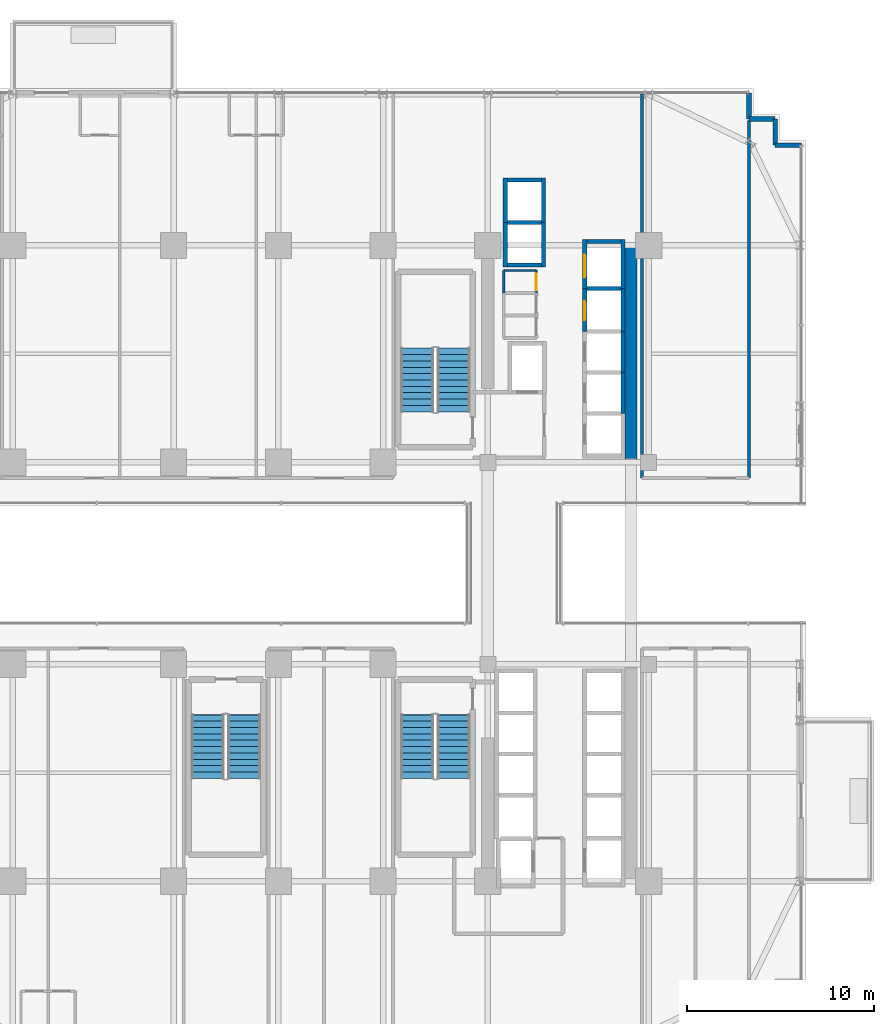
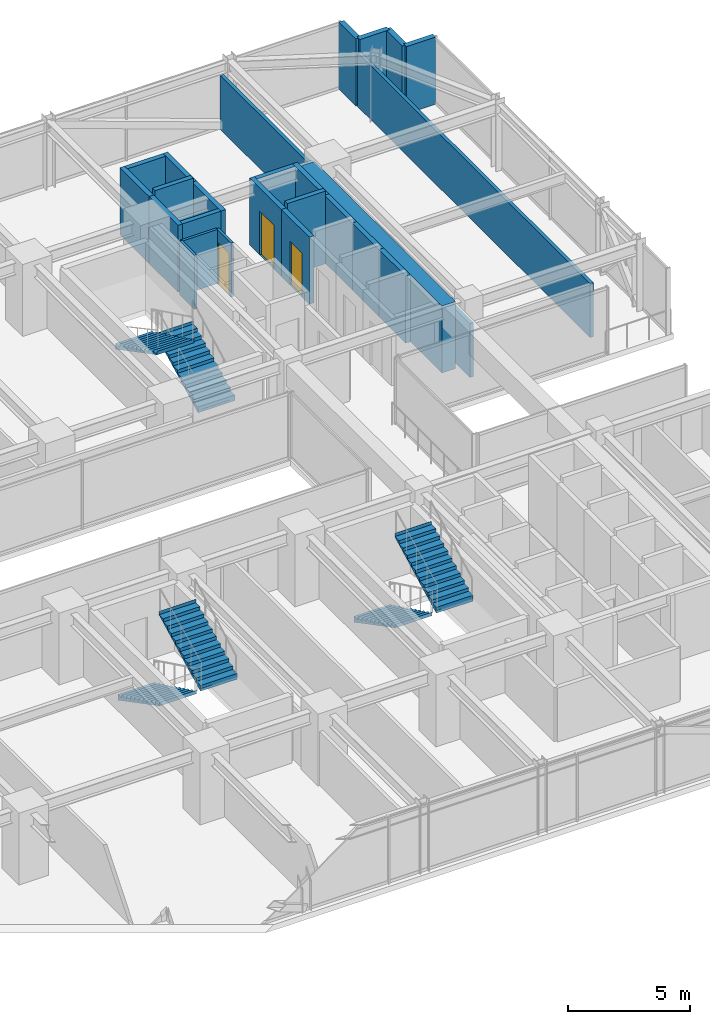
# One storey, part 37 of 41: 25 walls, 6 stair flights, 3 doors, 3 openings, 3 elements without a shape of their own.
"""IFC4 building model written with IfcOpenShell, lengths in metres."""

from ifc_helpers import new_model, si_unit, direction, frame, frame_2d, origin, place, context, subcontext, project, spatial, polyline, rectangle, outline, extrude, source, transform, mapped, material, layer, layer_set, type_object, element, fill, aggregate, save


model = new_model("IFC4")

# Units and contexts
model_context = context("Model", 3, precision=1e-05, world=origin(), true_north=direction((0.0, 1.0)))
body_context = subcontext(model_context, "Body", "Model", "MODEL_VIEW")
ifc_project = project(units=[si_unit("LENGTHUNIT", "METRE"), si_unit("AREAUNIT", "SQUARE_METRE"), si_unit("VOLUMEUNIT", "CUBIC_METRE"), si_unit("PLANEANGLEUNIT", "RADIAN"), si_unit("MASSUNIT", "GRAM", prefix="KILO")], contexts=[model_context])

# Site, building, storey
site_placement = place(None, origin())
site = spatial("IfcSite", under=ifc_project, at=site_placement, CompositionType="ELEMENT")
building_placement = place(site_placement, origin())
building = spatial("IfcBuilding", under=site, at=building_placement, Name="Nahalor Promenade Grand Hotel", CompositionType="ELEMENT")
storey_placement = place(building_placement, frame((0.0, 0.0, 54.300048828125)))
storey = spatial("IfcBuildingStorey", under=building, at=storey_placement, Name="L12", CompositionType="ELEMENT", Elevation=54.300048828125)

# Walls
ifc_material_1 = material(Name="Concrete B-60 (C50/60)", Category="concrete")
ifc_layer_1 = layer(ifc_material_1, 0.64990234375)
ifc_layer_set_1 = layer_set([ifc_layer_1], Name="Concrete B-60 (C50/60)")
wall_type_1 = type_object("IfcWallType", Name="Wall-CoreShear-650", PredefinedType="SHEAR", material=ifc_layer_set_1)
shared_shape_1 = source(origin(), body_context, "Body", "SweptSolid", [
    extrude(rectangle(XDim=11.60009765625, YDim=0.64990234375, at=frame_2d((5.800048828125, 0.0))), origin(), (0.0, 0.0, 1.0), 3.369873046875),
])
wall_1_placement = place(storey_placement, frame((16.050048828125, 5.39990234375, 0.0), z_axis=(0.0, 0.0, 1.0), x_axis=(0.0, 1.0, 0.0)))
element("IfcWall", 1, at=wall_1_placement, inside=storey, type_object=wall_type_1, Name="CWALL-L12-NE", PredefinedType="SHEAR", context=body_context, shape_type="MappedRepresentation", body=[
    mapped(shared_shape_1, transform((0.0, 0.0, 0.0), scale=1.0)),
])
ifc_material_2 = material(Name="Concrete B-50 (C40/50)", Category="concrete")
ifc_layer_2 = layer(ifc_material_2, 0.219970703125)
ifc_layer_set_2 = layer_set([ifc_layer_2], Name="Concrete B-50 (C40/50)")
wall_type_2 = type_object("IfcWallType", Name="Wall-LiftShaft-220", PredefinedType="SHEAR", material=ifc_layer_set_2)
shared_shape_2 = source(origin(), body_context, "Body", "SweptSolid", [
    extrude(rectangle(XDim=1.820068359375, YDim=0.219970703125, at=frame_2d((0.91015625, 0.0))), origin(), (0.0, 0.0, 1.0), 3.369873046875),
])
for number, where, z_axis, x_axis, name in (
    (2, (9.43994140625, 15.949951171875, 0.0), (0.0, 0.0, 1.0), (1.0, 0.0, 0.0), "L12 Lift OB1 Hoistway Wall S"),
    (3, (9.43994140625, 20.5, 0.0), (0.0, 0.0, 1.0), (1.0, 0.0, 0.0), "L12 Lift OB2 Hoistway Wall N"),
    (4, (13.68994140625, 17.199951171875, 0.0), (0.0, 0.0, 1.0), (1.0, 0.0, 0.0), "L12 Lift SV1 Hoistway Wall N"),
):
    element("IfcWall", number, at=place(storey_placement, frame(where, z_axis=z_axis, x_axis=x_axis)), inside=storey, type_object=wall_type_2, Name=name, PredefinedType="SHEAR", context=body_context, shape_type="MappedRepresentation", body=[
        mapped(shared_shape_2, transform((0.0, 0.0, 0.0), scale=1.0)),
    ])
shared_shape_3 = source(origin(), body_context, "Body", "SweptSolid", [
    extrude(rectangle(XDim=1.820068359375, YDim=0.219970703125, at=frame_2d((0.91015625, 0.0))), origin(), (0.0, 0.0, 1.0), 3.64990234375),
])
for number, where, z_axis, x_axis, name in (
    (5, (13.68994140625, 14.699951171875, 0.0), (0.0, 0.0, 1.0), (1.0, 0.0, 0.0), "L12 Lift PL4 Hoistway Wall N"),
    (6, (9.43994140625, 18.22509765625, 0.0), (0.0, 0.0, 1.0), (1.0, 0.0, 0.0), "L12 Lift OB1 Hoistway Wall N"),
):
    element("IfcWall", number, at=place(storey_placement, frame(where, z_axis=z_axis, x_axis=x_axis)), inside=storey, type_object=wall_type_2, Name=name, PredefinedType="SHEAR", context=body_context, shape_type="MappedRepresentation", body=[
        mapped(shared_shape_3, transform((0.0, 0.0, 0.0), scale=1.0)),
    ])
shared_shape_4 = source(origin(), body_context, "Body", "SweptSolid", [
    extrude(rectangle(XDim=2.199951171875, YDim=0.219970703125, at=frame_2d((1.10009765625, 0.0))), origin(), (0.0, 0.0, 1.0), 3.369873046875),
])
for number, where, z_axis, x_axis, name in (
    (7, (15.6201171875, 8.0, 0.0), (0.0, 0.0, 1.0), (0.0, 1.0, 0.0), "L12 Lift PL2 Hoistway Wall E"),
    (8, (15.6201171875, 10.199951171875, 0.0), (0.0, 0.0, 1.0), (0.0, 1.0, 0.0), "L12 Lift PL3 Hoistway Wall E"),
):
    element("IfcWall", number, at=place(storey_placement, frame(where, z_axis=z_axis, x_axis=x_axis)), inside=storey, type_object=wall_type_2, Name=name, PredefinedType="SHEAR", context=body_context, shape_type="MappedRepresentation", body=[
        mapped(shared_shape_4, transform((0.0, 0.0, 0.0), scale=1.0)),
    ])

# Wall, opening, door
shared_shape_5 = source(origin(), body_context, "Body", "SweptSolid", [
    extrude(rectangle(XDim=2.300048828125, YDim=0.219970703125, at=frame_2d((1.14990234375, 0.0))), origin(), (0.0, 0.0, 1.0), 3.369873046875),
])
wall_2_placement = place(storey_placement, frame((13.580078125, 12.39990234375, 0.0), z_axis=(0.0, 0.0, 1.0), x_axis=(0.0, 1.0, 0.0)))
wall_2 = element("IfcWall", 9, at=wall_2_placement, inside=storey, type_object=wall_type_2, Name="L12 Lift PL4 Hoistway Wall W", PredefinedType="SHEAR", context=body_context, shape_type="MappedRepresentation", body=[
    mapped(shared_shape_5, transform((0.0, 0.0, 0.0), scale=1.0)),
])
opening_1_placement = place(wall_2_placement, frame((0.60009765625, 0.0, 0.0)))
opening_1 = element("IfcOpeningElement", 10, at=opening_1_placement, cuts=wall_2, Name="Opening LD-01", PredefinedType="OPENING", context=body_context, shape_type="SweptSolid", body=[
    extrude(rectangle(XDim=1.0, YDim=2.199951171875, at=frame_2d((0.5, 1.10009765625))), frame((0.0, 0.119873046875, 0.0), z_axis=(0.0, -1.0, 0.0), x_axis=(1.0, 0.0, 0.0)), (0.0, 0.0, 1.0), 0.239990234375),
])
ifc_material_3 = material(Name="Steel S355JR", Category="steel")
door_type_1 = type_object("IfcDoorType", Name="Door-LiftLanding-1000", OperationType="DOUBLE_DOOR_SLIDING", PredefinedType="DOOR", material=ifc_material_3)
shared_shape_6 = source(origin(), body_context, "Body", "SweptSolid", [
    extrude(rectangle(XDim=1.0, YDim=2.199951171875, at=frame_2d((0.5, 1.10009765625))), frame((0.0, 0.02490234375, 0.0), z_axis=(0.0, -1.0, 0.0), x_axis=(1.0, 0.0, 0.0)), (0.0, 0.0, 1.0), 0.050048828125),
])
door_1_placement = place(opening_1_placement, origin())
door_1 = element("IfcDoor", 11, at=door_1_placement, inside=storey, type_object=door_type_1, Name="DR-LIFT-PL4-L12", OperationType="DOUBLE_DOOR_SLIDING", OverallHeight=2.199951171875, OverallWidth=1.0, PredefinedType="DOOR", context=body_context, shape_type="MappedRepresentation", body=[
    mapped(shared_shape_6, transform((0.0, 0.0, 0.0), scale=1.0)),
])
fill(opening_1, door_1)

# Walls
wall_3_placement = place(storey_placement, frame((15.6201171875, 12.39990234375, 0.0), z_axis=(0.0, 0.0, 1.0), x_axis=(0.0, 1.0, 0.0)))
element("IfcWall", 12, at=wall_3_placement, inside=storey, type_object=wall_type_2, Name="L12 Lift PL4 Hoistway Wall E", PredefinedType="SHEAR", context=body_context, shape_type="MappedRepresentation", body=[
    mapped(shared_shape_5, transform((0.0, 0.0, 0.0), scale=1.0)),
])
shared_shape_7 = source(origin(), body_context, "Body", "SweptSolid", [
    extrude(rectangle(XDim=2.385009765625, YDim=0.219970703125, at=frame_2d((1.1923828125, 0.0))), origin(), (0.0, 0.0, 1.0), 3.369873046875),
])
for number, where, z_axis, x_axis, name in (
    (13, (9.330078125, 15.840087890625, 0.0), (0.0, 0.0, 1.0), (0.0, 1.0, 0.0), "L12 Lift OB1 Hoistway Wall W"),
    (14, (11.3701171875, 15.840087890625, 0.0), (0.0, 0.0, 1.0), (0.0, 1.0, 0.0), "L12 Lift OB1 Hoistway Wall E"),
    (15, (9.330078125, 18.22509765625, 0.0), (0.0, 0.0, 1.0), (0.0, 1.0, 0.0), "L12 Lift OB2 Hoistway Wall W"),
    (16, (11.3701171875, 18.22509765625, 0.0), (0.0, 0.0, 1.0), (0.0, 1.0, 0.0), "L12 Lift OB2 Hoistway Wall E"),
):
    element("IfcWall", number, at=place(storey_placement, frame(where, z_axis=z_axis, x_axis=x_axis)), inside=storey, type_object=wall_type_2, Name=name, PredefinedType="SHEAR", context=body_context, shape_type="MappedRepresentation", body=[
        mapped(shared_shape_7, transform((0.0, 0.0, 0.0), scale=1.0)),
    ])

# Wall, opening, door
shared_shape_8 = source(origin(), body_context, "Body", "SweptSolid", [
    extrude(rectangle(XDim=2.610107421875, YDim=0.219970703125, at=frame_2d((1.30517578125, 0.0))), origin(), (0.0, 0.0, 1.0), 3.369873046875),
])
wall_4_placement = place(storey_placement, frame((13.580078125, 14.699951171875, 0.0), z_axis=(0.0, 0.0, 1.0), x_axis=(0.0, 1.0, 0.0)))
wall_4 = element("IfcWall", 17, at=wall_4_placement, inside=storey, type_object=wall_type_2, Name="L12 Lift SV1 Hoistway Wall W", PredefinedType="SHEAR", context=body_context, shape_type="MappedRepresentation", body=[
    mapped(shared_shape_8, transform((0.0, 0.0, 0.0), scale=1.0)),
])
opening_2_placement = place(wall_4_placement, frame((0.60009765625, 0.0, 0.0)))
opening_2 = element("IfcOpeningElement", 18, at=opening_2_placement, cuts=wall_4, Name="Opening LD-03", PredefinedType="OPENING", context=body_context, shape_type="SweptSolid", body=[
    extrude(rectangle(XDim=1.199951171875, YDim=2.199951171875, at=frame_2d((0.60009765625, 1.10009765625))), frame((0.0, 0.119873046875, 0.0), z_axis=(0.0, -1.0, 0.0), x_axis=(1.0, 0.0, 0.0)), (0.0, 0.0, 1.0), 0.239990234375),
])
door_type_2 = type_object("IfcDoorType", Name="Door-LiftService-1200", OperationType="DOUBLE_DOOR_SLIDING", PredefinedType="DOOR", material=ifc_material_3)
shared_shape_9 = source(origin(), body_context, "Body", "SweptSolid", [
    extrude(rectangle(XDim=1.199951171875, YDim=2.199951171875, at=frame_2d((0.60009765625, 1.10009765625))), frame((0.0, 0.02490234375, 0.0), z_axis=(0.0, -1.0, 0.0), x_axis=(1.0, 0.0, 0.0)), (0.0, 0.0, 1.0), 0.050048828125),
])
door_2_placement = place(opening_2_placement, origin())
door_2 = element("IfcDoor", 19, at=door_2_placement, inside=storey, type_object=door_type_2, Name="DR-LIFT-SV1-L12", OperationType="DOUBLE_DOOR_SLIDING", OverallHeight=2.199951171875, OverallWidth=1.199951171875, PredefinedType="DOOR", context=body_context, shape_type="MappedRepresentation", body=[
    mapped(shared_shape_9, transform((0.0, 0.0, 0.0), scale=1.0)),
])
fill(opening_2, door_2)

# Walls
wall_5_placement = place(storey_placement, frame((15.6201171875, 14.699951171875, 0.0), z_axis=(0.0, 0.0, 1.0), x_axis=(0.0, 1.0, 0.0)))
element("IfcWall", 20, at=wall_5_placement, inside=storey, type_object=wall_type_2, Name="L12 Lift SV1 Hoistway Wall E", PredefinedType="SHEAR", context=body_context, shape_type="MappedRepresentation", body=[
    mapped(shared_shape_8, transform((0.0, 0.0, 0.0), scale=1.0)),
])
ifc_material_4 = material(Name="Concrete B-40 (C32/40)", Category="concrete")
ifc_layer_3 = layer(ifc_material_4, 0.25)
ifc_layer_set_3 = layer_set([ifc_layer_3], Name="Concrete B-40 (C32/40)")
wall_type_3 = type_object("IfcWallType", Name="Wall-BronzePier-250", PredefinedType="STANDARD", material=ifc_layer_set_3)
shared_shape_10 = source(origin(), body_context, "Body", "SweptSolid", [
    extrude(rectangle(XDim=1.39990234375, YDim=0.25, at=frame_2d((0.699951171875, 0.0))), origin(), (0.0, 0.0, 1.0), 3.369873046875),
])
for number, where, z_axis, x_axis, name in (
    (21, (23.760009765625, 22.360107421875, 0.0), (0.0, 0.0, 1.0), (1.0, 0.0, 0.0), "W-L12-SR-05"),
    (22, (23.760009765625, 22.360107421875, 0.0), (0.0, 0.0, 1.0), (0.0, 1.0, 0.0), "W-L12-SR-06"),
    (23, (22.360107421875, 23.760009765625, 0.0), (0.0, 0.0, 1.0), (1.0, 0.0, 0.0), "W-L12-SR-07"),
    (24, (22.360107421875, 23.760009765625, 0.0), (0.0, 0.0, 1.0), (0.0, 1.0, 0.0), "W-L12-SR-08"),
):
    element("IfcWall", number, at=place(storey_placement, frame(where, z_axis=z_axis, x_axis=x_axis)), inside=storey, type_object=wall_type_3, Name=name, PredefinedType="STANDARD", context=body_context, shape_type="MappedRepresentation", body=[
        mapped(shared_shape_10, transform((0.0, 0.0, 0.0), scale=1.0)),
    ])
ifc_material_5 = material(Name="Acoustic Mineral Gypsum", Category="gypsum")
ifc_layer_4 = layer(ifc_material_5, 0.159912109375)
ifc_layer_set_4 = layer_set([ifc_layer_4], Name="Acoustic Mineral Gypsum")
wall_type_4 = type_object("IfcWallType", Name="Wall-PartCorridor-160", PredefinedType="PARTITIONING", material=ifc_layer_set_4)
shared_shape_11 = source(origin(), body_context, "Body", "SweptSolid", [
    extrude(rectangle(XDim=20.550048828125, YDim=0.159912109375, at=frame_2d((10.27490234375, 0.0))), origin(), (0.0, 0.0, 1.0), 2.7099609375),
])
wall_6_placement = place(storey_placement, frame((16.64990234375, 4.550048828125, 0.0), z_axis=(0.0, 0.0, 1.0), x_axis=(0.0, 1.0, 0.0)))
element("IfcWall", 25, at=wall_6_placement, inside=storey, type_object=wall_type_4, Name="W-L12-ENE-W", PredefinedType="PARTITIONING", context=body_context, shape_type="MappedRepresentation", body=[
    mapped(shared_shape_11, transform((0.0, 0.0, 0.0), scale=1.0)),
])
shared_shape_12 = source(origin(), body_context, "Body", "SweptSolid", [
    extrude(rectangle(XDim=19.1298828125, YDim=0.159912109375, at=frame_2d((9.56494140625, 0.0))), origin(), (0.0, 0.0, 1.0), 2.7099609375),
])
wall_7_placement = place(storey_placement, frame((22.360107421875, 4.550048828125, 0.0), z_axis=(0.0, 0.0, 1.0), x_axis=(0.0, 1.0, 0.0)))
element("IfcWall", 26, at=wall_7_placement, inside=storey, type_object=wall_type_4, Name="W-L12-ENE-E", PredefinedType="PARTITIONING", context=body_context, shape_type="MappedRepresentation", body=[
    mapped(shared_shape_12, transform((0.0, 0.0, 0.0), scale=1.0)),
])
ifc_layer_5 = layer(ifc_material_5, 0.1201171875)
ifc_layer_set_5 = layer_set([ifc_layer_5], Name="Acoustic Mineral Gypsum")
wall_type_5 = type_object("IfcWallType", Name="Wall-PartBath-120", PredefinedType="PARTITIONING", material=ifc_layer_set_5)
shared_shape_13 = source(origin(), body_context, "Body", "SweptSolid", [
    extrude(rectangle(XDim=1.75, YDim=0.1201171875, at=frame_2d((0.875, 0.0))), origin(), (0.0, 0.0, 1.0), 2.7099609375),
])
wall_8_placement = place(storey_placement, frame((9.25, 15.64990234375, 0.0), z_axis=(0.0, 0.0, 1.0), x_axis=(1.0, 0.0, 0.0)))
element("IfcWall", 27, at=wall_8_placement, inside=storey, type_object=wall_type_5, Name="W-L12-CK3C-N", PredefinedType="PARTITIONING", context=body_context, shape_type="MappedRepresentation", body=[
    mapped(shared_shape_13, transform((0.0, 0.0, 0.0), scale=1.0)),
])
shared_shape_14 = source(origin(), body_context, "Body", "SweptSolid", [
    extrude(rectangle(XDim=1.199951171875, YDim=0.1201171875, at=frame_2d((0.60009765625, 0.0))), origin(), (0.0, 0.0, 1.0), 2.7099609375),
])
wall_9_placement = place(storey_placement, frame((9.25, 14.449951171875, 0.0), z_axis=(0.0, 0.0, 1.0), x_axis=(0.0, 1.0, 0.0)))
element("IfcWall", 28, at=wall_9_placement, inside=storey, type_object=wall_type_5, Name="W-L12-CK3C-W", PredefinedType="PARTITIONING", context=body_context, shape_type="MappedRepresentation", body=[
    mapped(shared_shape_14, transform((0.0, 0.0, 0.0), scale=1.0)),
])

# Wall, opening, door
wall_10_placement = place(storey_placement, frame((11.0, 14.449951171875, 0.0), z_axis=(0.0, 0.0, 1.0), x_axis=(0.0, 1.0, 0.0)))
wall_10 = element("IfcWall", 29, at=wall_10_placement, inside=storey, type_object=wall_type_5, Name="W-L12-CK3C-E", PredefinedType="PARTITIONING", context=body_context, shape_type="MappedRepresentation", body=[
    mapped(shared_shape_14, transform((0.0, 0.0, 0.0), scale=1.0)),
])
opening_3_placement = place(wall_10_placement, frame((0.159912109375, 0.0, 0.0)))
opening_3 = element("IfcOpeningElement", 30, at=opening_3_placement, cuts=wall_10, Name="Opening D-03", PredefinedType="OPENING", context=body_context, shape_type="SweptSolid", body=[
    extrude(rectangle(XDim=0.8798828125, YDim=2.10009765625, at=frame_2d((0.43994140625, 1.050048828125))), frame((0.0, 0.070068359375, 0.0), z_axis=(0.0, -1.0, 0.0), x_axis=(1.0, 0.0, 0.0)), (0.0, 0.0, 1.0), 0.14013671875),
])
ifc_material_6 = material(Name="Fire-Rated Timber Composite", Category="wood")
door_type_3 = type_object("IfcDoorType", Name="Door-BathSwing-880", OperationType="NOTDEFINED", PredefinedType="DOOR", material=ifc_material_6)
shared_shape_15 = source(origin(), body_context, "Body", "SweptSolid", [
    extrude(rectangle(XDim=0.8798828125, YDim=2.10009765625, at=frame_2d((0.43994140625, 1.050048828125))), frame((0.0, 0.02490234375, 0.0), z_axis=(0.0, -1.0, 0.0), x_axis=(1.0, 0.0, 0.0)), (0.0, 0.0, 1.0), 0.050048828125),
])
door_3_placement = place(opening_3_placement, origin())
door_3 = element("IfcDoor", 31, at=door_3_placement, inside=storey, type_object=door_type_3, Name="DR-L12-CK3C", OperationType="SINGLE_SWING_LEFT", OverallHeight=2.10009765625, OverallWidth=0.8798828125, PredefinedType="DOOR", context=body_context, shape_type="MappedRepresentation", body=[
    mapped(shared_shape_15, transform((0.0, 0.0, 0.0), scale=1.0)),
])
fill(opening_3, door_3)

# Stair, stair flights
stair_type_1 = type_object("IfcStairType", Name="Stair-ST1", PredefinedType="HALF_TURN_STAIR", material=ifc_material_2)
stair_1_placement = place(storey_placement, origin())
stair_1 = element("IfcStair", 32, at=stair_1_placement, inside=storey, type_object=stair_type_1, Name="L12 ST1", PredefinedType="HALF_TURN_STAIR")
ifc_layer_6 = layer(ifc_material_2, 0.179931640625)
ifc_layer_set_6 = layer_set([ifc_layer_6], Name="Concrete B-50 (C40/50)")
stair_flight_type_1 = type_object("IfcStairFlightType", Name="Flight-ST1", PredefinedType="STRAIGHT", material=ifc_layer_set_6)
shared_shape_16 = source(origin(), body_context, "Body", "SweptSolid", [
    extrude(outline(polyline([(-0.00390625, -0.1201171875), (-0.00390625, 0.0), (0.0, 0.0), (0.0, 0.166015625), (0.340087890625, 0.166015625), (0.340087890625, 0.331787109375), (0.679931640625, 0.331787109375), (0.679931640625, 0.497802734375), (1.02001953125, 0.497802734375), (1.02001953125, 0.66357421875), (1.360107421875, 0.66357421875), (1.360107421875, 0.82958984375), (1.699951171875, 0.82958984375), (1.699951171875, 0.995361328125), (2.0400390625, 0.995361328125), (2.0400390625, 1.161376953125), (2.3798828125, 1.161376953125), (2.3798828125, 1.327392578125), (2.719970703125, 1.327392578125), (2.719970703125, 1.4931640625), (3.06005859375, 1.4931640625), (3.06005859375, 1.6591796875), (3.39990234375, 1.6591796875), (3.39990234375, 1.824951171875), (3.404052734375, 1.824951171875), (3.404052734375, 1.64501953125), (0.02001953125, -0.1201171875), (-0.00390625, -0.1201171875)])), frame((0.0, 0.875, 0.0), z_axis=(0.0, -1.0, 0.0), x_axis=(1.0, 0.0, 0.0)), (0.0, 0.0, 1.0), 1.75),
])
stair_flight_1_placement = place(storey_placement, frame((6.574951171875, 8.10009765625, 0.0), z_axis=(0.0, 0.0, 1.0), x_axis=(0.0, 1.0, 0.0)))
stair_flight_1 = element("IfcStairFlight", 33, at=stair_flight_1_placement, type_object=stair_flight_type_1, Name="ST1 flight 1", NumberOfRisers=11, NumberOfTreads=10, PredefinedType="STRAIGHT", RiserHeight=0.165909091, TreadLength=0.34, context=body_context, shape_type="MappedRepresentation", body=[
    mapped(shared_shape_16, transform((0.0, 0.0, 0.0), scale=1.0)),
])
stair_flight_2_placement = place(storey_placement, frame((4.625, 11.5, 1.824951171875), z_axis=(0.0, 0.0, 1.0), x_axis=(0.0, -1.0, 0.0)))
stair_flight_2 = element("IfcStairFlight", 34, at=stair_flight_2_placement, type_object=stair_flight_type_1, Name="ST1 flight 2", NumberOfRisers=11, NumberOfTreads=10, PredefinedType="STRAIGHT", RiserHeight=0.165909091, TreadLength=0.34, context=body_context, shape_type="MappedRepresentation", body=[
    mapped(shared_shape_16, transform((0.0, 0.0, 0.0), scale=1.0)),
])
aggregate(stair_1, [stair_flight_1, stair_flight_2])

stair_type_2 = type_object("IfcStairType", Name="Stair-ST2", PredefinedType="HALF_TURN_STAIR", material=ifc_material_2)
stair_2_placement = place(storey_placement, origin())
stair_2 = element("IfcStair", 35, at=stair_2_placement, inside=storey, type_object=stair_type_2, Name="L12 ST2", PredefinedType="HALF_TURN_STAIR")
ifc_layer_7 = layer(ifc_material_2, 0.18994140625)
ifc_layer_set_7 = layer_set([ifc_layer_7], Name="Concrete B-50 (C40/50)")
stair_flight_type_2 = type_object("IfcStairFlightType", Name="Flight-ST2", PredefinedType="STRAIGHT", material=ifc_layer_set_7)
shared_shape_17 = source(origin(), body_context, "Body", "SweptSolid", [
    extrude(outline(polyline([(-0.00390625, -0.1201171875), (-0.00390625, 0.0), (0.0, 0.0), (0.0, 0.166015625), (0.340087890625, 0.166015625), (0.340087890625, 0.331787109375), (0.679931640625, 0.331787109375), (0.679931640625, 0.497802734375), (1.02001953125, 0.497802734375), (1.02001953125, 0.66357421875), (1.360107421875, 0.66357421875), (1.360107421875, 0.82958984375), (1.699951171875, 0.82958984375), (1.699951171875, 0.995361328125), (2.0400390625, 0.995361328125), (2.0400390625, 1.161376953125), (2.3798828125, 1.161376953125), (2.3798828125, 1.327392578125), (2.719970703125, 1.327392578125), (2.719970703125, 1.4931640625), (3.06005859375, 1.4931640625), (3.06005859375, 1.6591796875), (3.39990234375, 1.6591796875), (3.39990234375, 1.824951171875), (3.404052734375, 1.824951171875), (3.404052734375, 1.64501953125), (0.02001953125, -0.1201171875), (-0.00390625, -0.1201171875)])), frame((0.0, 0.875, 0.0), z_axis=(0.0, -1.0, 0.0), x_axis=(1.0, 0.0, 0.0)), (0.0, 0.0, 1.0), 1.75),
])
stair_flight_3_placement = place(storey_placement, frame((4.625, -8.10009765625, 0.0), z_axis=(0.0, 0.0, 1.0), x_axis=(0.0, -1.0, 0.0)))
stair_flight_3 = element("IfcStairFlight", 36, at=stair_flight_3_placement, type_object=stair_flight_type_2, Name="ST2 flight 1", NumberOfRisers=11, NumberOfTreads=10, PredefinedType="STRAIGHT", RiserHeight=0.165909091, TreadLength=0.34, context=body_context, shape_type="MappedRepresentation", body=[
    mapped(shared_shape_17, transform((0.0, 0.0, 0.0), scale=1.0)),
])
stair_flight_4_placement = place(storey_placement, frame((6.574951171875, -11.5, 1.824951171875), z_axis=(0.0, 0.0, 1.0), x_axis=(0.0, 1.0, 0.0)))
stair_flight_4 = element("IfcStairFlight", 37, at=stair_flight_4_placement, type_object=stair_flight_type_2, Name="ST2 flight 2", NumberOfRisers=11, NumberOfTreads=10, PredefinedType="STRAIGHT", RiserHeight=0.165909091, TreadLength=0.34, context=body_context, shape_type="MappedRepresentation", body=[
    mapped(shared_shape_17, transform((0.0, 0.0, 0.0), scale=1.0)),
])
aggregate(stair_2, [stair_flight_3, stair_flight_4])

stair_type_3 = type_object("IfcStairType", Name="Stair-ST3", PredefinedType="HALF_TURN_STAIR", material=ifc_material_2)
stair_3_placement = place(storey_placement, origin())
stair_3 = element("IfcStair", 38, at=stair_3_placement, inside=storey, type_object=stair_type_3, Name="L12 ST3", PredefinedType="HALF_TURN_STAIR")
ifc_layer_8 = layer(ifc_material_2, 0.199951171875)
ifc_layer_set_8 = layer_set([ifc_layer_8], Name="Concrete B-50 (C40/50)")
stair_flight_type_3 = type_object("IfcStairFlightType", Name="Flight-ST3", PredefinedType="STRAIGHT", material=ifc_layer_set_8)
shared_shape_18 = source(origin(), body_context, "Body", "SweptSolid", [
    extrude(outline(polyline([(-0.00390625, -0.1201171875), (-0.00390625, 0.0), (0.0, 0.0), (0.0, 0.166015625), (0.340087890625, 0.166015625), (0.340087890625, 0.331787109375), (0.679931640625, 0.331787109375), (0.679931640625, 0.497802734375), (1.02001953125, 0.497802734375), (1.02001953125, 0.66357421875), (1.360107421875, 0.66357421875), (1.360107421875, 0.82958984375), (1.699951171875, 0.82958984375), (1.699951171875, 0.995361328125), (2.0400390625, 0.995361328125), (2.0400390625, 1.161376953125), (2.3798828125, 1.161376953125), (2.3798828125, 1.327392578125), (2.719970703125, 1.327392578125), (2.719970703125, 1.4931640625), (3.06005859375, 1.4931640625), (3.06005859375, 1.6591796875), (3.39990234375, 1.6591796875), (3.39990234375, 1.824951171875), (3.404052734375, 1.824951171875), (3.404052734375, 1.64501953125), (0.02001953125, -0.1201171875), (-0.00390625, -0.1201171875)])), frame((0.0, 0.875, 0.0), z_axis=(0.0, -1.0, 0.0), x_axis=(1.0, 0.0, 0.0)), (0.0, 0.0, 1.0), 1.75),
])
stair_flight_5_placement = place(storey_placement, frame((-6.574951171875, -8.10009765625, 0.0), z_axis=(0.0, 0.0, 1.0), x_axis=(0.0, -1.0, 0.0)))
stair_flight_5 = element("IfcStairFlight", 39, at=stair_flight_5_placement, type_object=stair_flight_type_3, Name="ST3 flight 1", NumberOfRisers=11, NumberOfTreads=10, PredefinedType="STRAIGHT", RiserHeight=0.165909091, TreadLength=0.34, context=body_context, shape_type="MappedRepresentation", body=[
    mapped(shared_shape_18, transform((0.0, 0.0, 0.0), scale=1.0)),
])
stair_flight_6_placement = place(storey_placement, frame((-4.625, -11.5, 1.824951171875), z_axis=(0.0, 0.0, 1.0), x_axis=(0.0, 1.0, 0.0)))
stair_flight_6 = element("IfcStairFlight", 40, at=stair_flight_6_placement, type_object=stair_flight_type_3, Name="ST3 flight 2", NumberOfRisers=11, NumberOfTreads=10, PredefinedType="STRAIGHT", RiserHeight=0.165909091, TreadLength=0.34, context=body_context, shape_type="MappedRepresentation", body=[
    mapped(shared_shape_18, transform((0.0, 0.0, 0.0), scale=1.0)),
])
aggregate(stair_3, [stair_flight_5, stair_flight_6])

save(model, "model.ifc")
